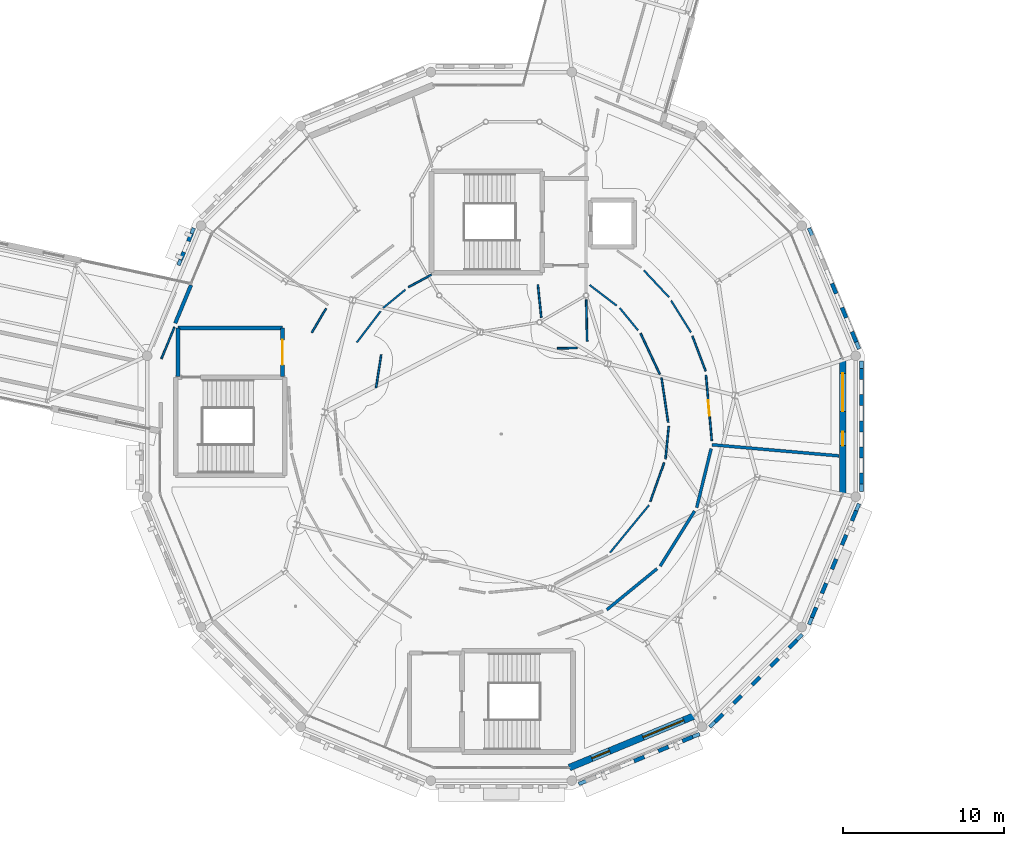
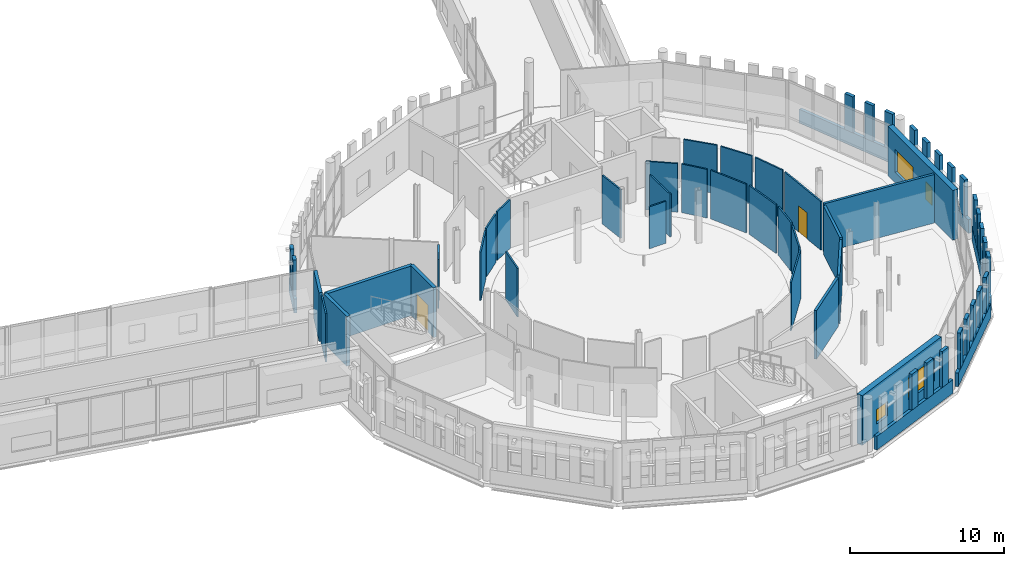
# One storey, part 99 of 125: 59 walls, 4 windows, 2 doors, 6 openings.
"""IFC4 building model written with IfcOpenShell, lengths in metres."""

import ifcopenshell
import ifcopenshell.guid

model = None  # the IFC model being written
_history = None  # IfcOwnerHistory: only IFC2X3 demands one
_inside = {}  # id of a spatial element -> (the spatial element, [elements in it])
_under = {}  # id of a project, library or spatial element -> (it, [spatial elements below it])
_declared = {}  # id of a project -> (the project, [libraries it declares])
_typed = {}  # id of a type object -> (the type object, [elements of that type])
_made_of = {}  # id of a material, layer set ... -> (it, [elements and type objects made of it])


def new_model(schema):
    """Start an empty IFC model of exactly this schema.

    Asked for "IFC4X3", IfcOpenShell would pick the latest addendum, in which some entities
    have other attributes; the version numbers below select the first issue.
    IFC2X3 requires an IfcOwnerHistory on every rooted entity: one is made here for all.
    """
    global model, _history
    if schema == "IFC4X3":
        model = ifcopenshell.file(schema_version=(4, 3, 0, 0))
    else:
        model = ifcopenshell.file(schema=schema)
    _inside.clear()
    _under.clear()
    _declared.clear()
    _typed.clear()
    _made_of.clear()
    _history = None
    if model.schema == "IFC2X3":
        org = make("IfcOrganization", Name="unknown")
        user = make(
            "IfcPersonAndOrganization",
            ThePerson=make("IfcPerson", FamilyName="unknown"),
            TheOrganization=org,
        )
        app = make(
            "IfcApplication",
            ApplicationDeveloper=org,
            Version="unknown",
            ApplicationFullName="unknown",
            ApplicationIdentifier="unknown",
        )
        _history = make(
            "IfcOwnerHistory",
            OwningUser=user,
            OwningApplication=app,
            ChangeAction="ADDED",
            CreationDate=0,
        )
    return model


def make(cls, **values):
    """One entity of the class cls with the attributes given. An attribute that is None is left unset."""
    return model.create_entity(
        cls, **{name: value for name, value in values.items() if value is not None}
    )


def rooted(cls, **values):
    """An entity with a GlobalId (a new one), such as an element, a storey or a relation."""
    return make(cls, GlobalId=ifcopenshell.guid.new(), OwnerHistory=_history, **values)


def si_unit(unit_type, name, prefix=None):
    """IfcSIUnit, for example si_unit("LENGTHUNIT", "METRE", prefix="MILLI")."""
    return make("IfcSIUnit", UnitType=unit_type, Prefix=prefix, Name=name)


def assignment(units):
    """IfcUnitAssignment: the units of a project."""
    return None if units is None else make("IfcUnitAssignment", Units=units)


def point(xyz):
    """IfcCartesianPoint."""
    return None if xyz is None else make("IfcCartesianPoint", Coordinates=xyz)


def direction(xyz):
    """IfcDirection."""
    return None if xyz is None else make("IfcDirection", DirectionRatios=xyz)


def frame(location, z_axis=None, x_axis=None):
    """IfcAxis2Placement3D, a coordinate frame: its origin and axes. An axis left out is left unset."""
    return make(
        "IfcAxis2Placement3D",
        Location=point(location),
        Axis=direction(z_axis),
        RefDirection=direction(x_axis),
    )


def frame_2d(location, x_axis=None):
    """IfcAxis2Placement2D, a coordinate frame in the plane: its origin and x axis."""
    return make(
        "IfcAxis2Placement2D", Location=point(location), RefDirection=direction(x_axis)
    )


def origin():
    """The frame at (0, 0, 0) with its axes left unset."""
    return frame((0.0, 0.0, 0.0))


def place(relative_to, where):
    """IfcLocalPlacement: puts the frame where relative to a parent placement (None: the world)."""
    return make(
        "IfcLocalPlacement", PlacementRelTo=relative_to, RelativePlacement=where
    )


def context(
    kind, dimensions, precision=None, world=None, true_north=None, identifier=None
):
    """IfcGeometricRepresentationContext, for example the 3D "Model" context."""
    return make(
        "IfcGeometricRepresentationContext",
        ContextIdentifier=identifier,
        ContextType=kind,
        CoordinateSpaceDimension=dimensions,
        Precision=precision,
        WorldCoordinateSystem=world,
        TrueNorth=true_north,
    )


def subcontext(parent, identifier, kind, view, scale=None):
    """IfcGeometricRepresentationSubContext, for example "Body" below "Model"."""
    return make(
        "IfcGeometricRepresentationSubContext",
        ContextIdentifier=identifier,
        ContextType=kind,
        ParentContext=parent,
        TargetScale=scale,
        TargetView=view,
    )


def project(units=None, contexts=None):
    """IfcProject with its units and contexts."""
    return rooted(
        "IfcProject",
        Name="project",
        RepresentationContexts=contexts,
        UnitsInContext=assignment(units),
    )


def spatial(cls, under=None, at=None, **own):
    """A site, building, storey or space (cls), placed at a placement, below another one or the project."""
    s = rooted(cls, ObjectPlacement=at, **own)
    if under is not None:
        _under.setdefault(under.id(), (under, []))[1].append(s)
    return s


def profile(cls, at=None, kind="AREA", **sizes):
    """A parametric profile (cls). Its sizes go by their IFC names, for example OverallWidth=200.0."""
    return make(cls, ProfileType=kind, Position=at, **sizes)


def rectangle(**sizes):
    """IfcRectangleProfileDef."""
    return profile("IfcRectangleProfileDef", **sizes)


def extrude(swept, where, along, depth):
    """IfcExtrudedAreaSolid: the profile swept, set in the frame where, extruded along a direction by depth."""
    return make(
        "IfcExtrudedAreaSolid",
        SweptArea=swept,
        Position=where,
        ExtrudedDirection=direction(along),
        Depth=depth,
    )


def shape(context_of_items, identifier, shape_type, items):
    """IfcShapeRepresentation: the items that make up one representation, for example the "Body"."""
    return make(
        "IfcShapeRepresentation",
        ContextOfItems=context_of_items,
        RepresentationIdentifier=identifier,
        RepresentationType=shape_type,
        Items=items,
    )


def material(Name=None, Category=None):
    """IfcMaterial."""
    return make("IfcMaterial", Name=Name, Category=Category)


def layer(
    of_material, thickness, ventilated=None, Name=None, Category=None, Priority=None
):
    """IfcMaterialLayer: one layer of a wall or slab, of a material (None: an air gap)."""
    return make(
        "IfcMaterialLayer",
        Material=of_material,
        LayerThickness=thickness,
        IsVentilated=ventilated,
        Name=Name,
        Category=Category,
        Priority=Priority,
    )


def layer_set(layers, Name=None):
    """IfcMaterialLayerSet."""
    return make("IfcMaterialLayerSet", MaterialLayers=layers, LayerSetName=Name)


def made_of(thing, what):
    """Note that an element or type object is made of a material, layer set ...; save() writes the relation."""
    if what is not None:
        _made_of.setdefault(what.id(), (what, []))[1].append(thing)
    return thing


def type_object(cls, material=None, **own):
    """A type object (cls), such as IfcWallType, which elements share."""
    return made_of(rooted(cls, **own), material)


def element(
    cls,
    number,
    at=None,
    inside=None,
    cuts=None,
    type_object=None,
    material=None,
    context=None,
    identifier="Body",
    shape_type=None,
    held_by="IfcProductDefinitionShape",
    body=None,
    shapes=None,
    **own,
):
    """One element of the class cls, such as IfcWall. Its Tag is "e" and its number.

    at: its placement. inside: the storey or other place that contains it. cuts: it is an
    opening in that element (IfcRelVoidsElement). A single representation is given by context,
    identifier, shape_type and body (its items); several are given by shapes. held_by: the class
    of the entity that holds the representations. save() writes the other relations.
    """
    e = rooted(cls, Tag="e%d" % number, ObjectPlacement=at, **own)
    if body is not None:
        shapes = [shape(context, identifier, shape_type, body)]
    if shapes is not None:
        e.Representation = make(held_by, Representations=shapes)
    if inside is not None:
        _inside.setdefault(inside.id(), (inside, []))[1].append(e)
    if cuts is not None:
        rooted(
            "IfcRelVoidsElement", RelatingBuildingElement=cuts, RelatedOpeningElement=e
        )
    if type_object is not None:
        _typed.setdefault(type_object.id(), (type_object, []))[1].append(e)
    return made_of(e, material)


def fill(opening, filler):
    """IfcRelFillsElement: the door or window that sits in an opening."""
    return rooted(
        "IfcRelFillsElement",
        RelatingOpeningElement=opening,
        RelatedBuildingElement=filler,
    )


def aggregate(whole, parts):
    """IfcRelAggregates: a whole, such as a stair, and the parts it consists of."""
    return rooted("IfcRelAggregates", RelatingObject=whole, RelatedObjects=parts)


def save(model, path):
    """Write the relations noted so far, then the file.

    IfcRelAggregates (storeys below a building ...), IfcRelContainedInSpatialStructure (elements
    in a storey), IfcRelDefinesByType, IfcRelAssociatesMaterial and IfcRelDeclares: one each for
    every whole, place, type object, material and project.
    """
    for whole, parts in _under.values():
        aggregate(whole, parts)
    for where, things in _inside.values():
        rooted(
            "IfcRelContainedInSpatialStructure",
            RelatedElements=things,
            RelatingStructure=where,
        )
    for kind, things in _typed.values():
        rooted("IfcRelDefinesByType", RelatedObjects=things, RelatingType=kind)
    for what, things in _made_of.values():
        rooted("IfcRelAssociatesMaterial", RelatedObjects=things, RelatingMaterial=what)
    for by, libraries in _declared.values():
        rooted("IfcRelDeclares", RelatingContext=by, RelatedDefinitions=libraries)
    model.write(path)


model = new_model("IFC4")

# Units and contexts
model_context = context("Model", 3, precision=1e-05, world=origin(), true_north=direction((0.0, 1.0)))
body_context = subcontext(model_context, "Body", "Model", "MODEL_VIEW")
ifc_project = project(units=[si_unit("LENGTHUNIT", "METRE"), si_unit("AREAUNIT", "SQUARE_METRE"), si_unit("VOLUMEUNIT", "CUBIC_METRE"), si_unit("PLANEANGLEUNIT", "RADIAN"), si_unit("MASSUNIT", "GRAM", prefix="KILO")], contexts=[model_context])

# Site, building, storey
site_placement = place(None, origin())
site = spatial("IfcSite", under=ifc_project, at=site_placement, CompositionType="ELEMENT")
building_placement = place(site_placement, origin())
building = spatial("IfcBuilding", under=site, at=building_placement, Name="Wrenclough Park School", CompositionType="ELEMENT")
storey_placement = place(building_placement, frame((0.0, 0.0, 4.199951171875)))
storey = spatial("IfcBuildingStorey", under=building, at=storey_placement, Name="L01", CompositionType="ELEMENT", Elevation=4.199951171875)

# Walls
ifc_material_1 = material(Name="Perforated open-bond Staffordshire and Manchester brick screen pier", Category="masonry")
ifc_layer_1 = layer(ifc_material_1, 0.2451171875)
ifc_layer_set_1 = layer_set([ifc_layer_1], Name="Perforated open-bond Staffordshire and Manchester brick screen pier")
wall_type_1 = type_object("IfcWallType", Name="ENV-BS-PR245", PredefinedType="ELEMENTEDWALL", material=ifc_layer_set_1)
for number, where, z_axis, x_axis, name in (
    (1, (177.5498046875, 31.743896484375, 1.090087890625), (0.0, 0.0, 1.0), (-0.382762115804, 0.923846936838, 0.0), "D1 L01 perforated brick screen pier 0166"),
    (2, (176.927490234375, 33.24609375, 1.090087890625), (0.0, 0.0, 1.0), (-0.38245702535, 0.923973280869, 0.0), "D1 L01 perforated brick screen pier 0167"),
    (3, (176.305419921875, 34.748291015625, 1.090087890625), (0.0, 0.0, 1.0), (-0.382762115804, 0.923846936838, 0.0), "D1 L01 perforated brick screen pier 0168"),
):
    element("IfcWall", number, at=place(storey_placement, frame(where, z_axis=z_axis, x_axis=x_axis)), inside=storey, type_object=wall_type_1, Name=name, PredefinedType="ELEMENTEDWALL", context=body_context, shape_type="SweptSolid", body=[
        extrude(rectangle(XDim=0.68310546875, YDim=0.2451171875, at=frame_2d((0.341552734375, 0.0))), origin(), (0.0, 0.0, 1.0), 2.849853515625),
    ])
wall_1_placement = place(storey_placement, frame((136.24267578125, 38.485595703125, 1.090087890625), z_axis=(0.0, 0.0, 1.0), x_axis=(-0.382626535499, -0.923903097912, 0.0)))
element("IfcWall", 4, at=wall_1_placement, inside=storey, type_object=wall_type_1, Name="D1 L01 perforated brick screen pier 0189", PredefinedType="ELEMENTEDWALL", context=body_context, shape_type="SweptSolid", body=[
    extrude(rectangle(XDim=0.523193359375, YDim=0.2451171875, at=frame_2d((0.26171875, 0.0))), origin(), (0.0, 0.0, 1.0), 2.849853515625),
])
wall_2_placement = place(storey_placement, frame((135.76611328125, 37.334716796875, 1.090087890625), z_axis=(0.0, 0.0, 1.0), x_axis=(-0.382791554495, -0.923834739446, 0.0)))
element("IfcWall", 5, at=wall_2_placement, inside=storey, type_object=wall_type_1, Name="D1 L01 perforated brick screen pier 0190", PredefinedType="ELEMENTEDWALL", context=body_context, shape_type="SweptSolid", body=[
    extrude(rectangle(XDim=0.52294921875, YDim=0.2451171875, at=frame_2d((0.261474609375, 0.0))), origin(), (0.0, 0.0, 1.0), 2.849853515625),
])
for number, where, z_axis, x_axis, name in (
    (6, (163.748291015625, 5.694580078125, 1.090087890625), (0.0, 0.0, 1.0), (0.923846936838, 0.382762115804, 0.0), "D1 L01 perforated brick screen pier 0215"),
    (7, (165.25048828125, 6.31689453125, 1.090087890625), (0.0, 0.0, 1.0), (0.923846936838, 0.382762115804, 0.0), "D1 L01 perforated brick screen pier 0216"),
    (8, (166.752685546875, 6.939208984375, 1.090087890625), (0.0, 0.0, 1.0), (0.923846936838, 0.382762115804, 0.0), "D1 L01 perforated brick screen pier 0217"),
):
    element("IfcWall", number, at=place(storey_placement, frame(where, z_axis=z_axis, x_axis=x_axis)), inside=storey, type_object=wall_type_1, Name=name, PredefinedType="ELEMENTEDWALL", context=body_context, shape_type="SweptSolid", body=[
        extrude(rectangle(XDim=0.68310546875, YDim=0.2451171875, at=frame_2d((0.341552734375, 0.0))), origin(), (0.0, 0.0, 1.0), 2.849853515625),
    ])
for number, where, z_axis, x_axis, name in (
    (9, (168.78271484375, 8.135498046875, 1.090087890625), (0.0, 0.0, 1.0), (0.707106781187, 0.707106781187, 0.0), "D1 L01 perforated brick screen pier 0218"),
    (10, (169.9326171875, 9.28515625, 1.090087890625), (0.0, 0.0, 1.0), (0.706927970528, 0.707285546639, 0.0), "D1 L01 perforated brick screen pier 0219"),
    (11, (171.082275390625, 10.434814453125, 1.090087890625), (0.0, 0.0, 1.0), (0.707106781187, 0.707106781187, 0.0), "D1 L01 perforated brick screen pier 0220"),
    (12, (172.23193359375, 11.584716796875, 1.090087890625), (0.0, 0.0, 1.0), (0.707285546639, 0.706927970528, 0.0), "D1 L01 perforated brick screen pier 0221"),
    (13, (173.381591796875, 12.734375, 1.090087890625), (0.0, 0.0, 1.0), (0.707106781187, 0.707106781187, 0.0), "D1 L01 perforated brick screen pier 0222"),
):
    element("IfcWall", number, at=place(storey_placement, frame(where, z_axis=z_axis, x_axis=x_axis)), inside=storey, type_object=wall_type_1, Name=name, PredefinedType="ELEMENTEDWALL", context=body_context, shape_type="SweptSolid", body=[
        extrude(rectangle(XDim=0.682861328125, YDim=0.2451171875, at=frame_2d((0.34130859375, 0.0))), origin(), (0.0, 0.0, 1.0), 2.849853515625),
    ])
for number, where, z_axis, x_axis, name in (
    (14, (174.79931640625, 14.6162109375, 1.090087890625), (0.0, 0.0, 1.0), (0.382762115804, 0.923846936838, 0.0), "D1 L01 perforated brick screen pier 0223"),
    (15, (175.421630859375, 16.118408203125, 1.090087890625), (0.0, 0.0, 1.0), (0.382762115804, 0.923846936838, 0.0), "D1 L01 perforated brick screen pier 0224"),
    (16, (176.0439453125, 17.62060546875, 1.090087890625), (0.0, 0.0, 1.0), (0.382762115804, 0.923846936838, 0.0), "D1 L01 perforated brick screen pier 0225"),
    (17, (176.666259765625, 19.122802734375, 1.090087890625), (0.0, 0.0, 1.0), (0.38245702535, 0.923973280869, 0.0), "D1 L01 perforated brick screen pier 0226"),
    (18, (177.288330078125, 20.625, 1.090087890625), (0.0, 0.0, 1.0), (0.382762115804, 0.923846936838, 0.0), "D1 L01 perforated brick screen pier 0227"),
    (19, (177.878173828125, 22.906494140625, 1.090087890625), (0.0, 0.0, 1.0), (0.0, 1.0, 0.0), "D1 L01 perforated brick screen pier 0228"),
    (20, (177.878173828125, 24.532470703125, 1.090087890625), (0.0, 0.0, 1.0), (0.0, 1.0, 0.0), "D1 L01 perforated brick screen pier 0229"),
    (21, (177.878173828125, 26.158447265625, 1.090087890625), (0.0, 0.0, 1.0), (0.0, 1.0, 0.0), "D1 L01 perforated brick screen pier 0230"),
    (22, (177.878173828125, 27.784423828125, 1.090087890625), (0.0, 0.0, 1.0), (0.0, 1.0, 0.0), "D1 L01 perforated brick screen pier 0231"),
    (23, (177.878173828125, 29.410400390625, 1.090087890625), (0.0, 0.0, 1.0), (0.0, 1.0, 0.0), "D1 L01 perforated brick screen pier 0232"),
):
    element("IfcWall", number, at=place(storey_placement, frame(where, z_axis=z_axis, x_axis=x_axis)), inside=storey, type_object=wall_type_1, Name=name, PredefinedType="ELEMENTEDWALL", context=body_context, shape_type="SweptSolid", body=[
        extrude(rectangle(XDim=0.68310546875, YDim=0.2451171875, at=frame_2d((0.341552734375, 0.0))), origin(), (0.0, 0.0, 1.0), 2.849853515625),
    ])
ifc_material_2 = material(Name="Open-bond Manchester multi-stock brick spandrel screen", Category="masonry")
ifc_layer_2 = layer(ifc_material_2, 0.22509765625)
ifc_layer_set_2 = layer_set([ifc_layer_2], Name="Open-bond Manchester multi-stock brick spandrel screen")
wall_type_2 = type_object("IfcWallType", Name="ENV-BS-SP225", PredefinedType="ELEMENTEDWALL", material=ifc_layer_set_2)
wall_3_placement = place(storey_placement, frame((177.730224609375, 31.308349609375, 0.0), z_axis=(0.0, 0.0, 1.0), x_axis=(-0.382701881142, 0.923871890562, 0.0)))
element("IfcWall", 24, at=wall_3_placement, inside=storey, type_object=wall_type_2, Name="D1 L01 open-bond brick screen spandrel 0048", PredefinedType="ELEMENTEDWALL", context=body_context, shape_type="SweptSolid", body=[
    extrude(rectangle(XDim=8.1298828125, YDim=0.22509765625, at=frame_2d((4.06494140625, 0.0))), origin(), (0.0, 0.0, 1.0), 1.090087890625),
])
wall_4_placement = place(storey_placement, frame((136.381103515625, 38.8193359375, 0.0), z_axis=(0.0, 0.0, 1.0), x_axis=(-0.382700894154, -0.923872299408, 0.0)))
element("IfcWall", 25, at=wall_4_placement, inside=storey, type_object=wall_type_2, Name="D1 L01 open-bond brick screen spandrel 0053", PredefinedType="ELEMENTEDWALL", context=body_context, shape_type="SweptSolid", body=[
    extrude(rectangle(XDim=2.4912109375, YDim=0.22509765625, at=frame_2d((1.24560546875, 0.0))), origin(), (0.0, 0.0, 1.0), 1.090087890625),
])
wall_5_placement = place(storey_placement, frame((160.308349609375, 4.269775390625, 0.0), z_axis=(0.0, 0.0, 1.0), x_axis=(0.923871890562, 0.382701881142, 0.0)))
element("IfcWall", 26, at=wall_5_placement, inside=storey, type_object=wall_type_2, Name="D1 L01 open-bond brick screen spandrel 0059", PredefinedType="ELEMENTEDWALL", context=body_context, shape_type="SweptSolid", body=[
    extrude(rectangle(XDim=8.1298828125, YDim=0.22509765625, at=frame_2d((4.06494140625, 0.0))), origin(), (0.0, 0.0, 1.0), 1.090087890625),
])
wall_6_placement = place(storey_placement, frame((168.449462890625, 7.802001953125, 0.0), z_axis=(0.0, 0.0, 1.0), x_axis=(0.707106781187, 0.707106781187, 0.0)))
element("IfcWall", 27, at=wall_6_placement, inside=storey, type_object=wall_type_2, Name="D1 L01 open-bond brick screen spandrel 0060", PredefinedType="ELEMENTEDWALL", context=body_context, shape_type="SweptSolid", body=[
    extrude(rectangle(XDim=8.129638671875, YDim=0.22509765625, at=frame_2d((4.06494140625, 0.0))), origin(), (0.0, 0.0, 1.0), 1.090087890625),
])
for number, where, z_axis, x_axis, name in (
    (28, (174.618896484375, 14.1806640625, 0.0), (0.0, 0.0, 1.0), (0.382701881142, 0.923871890562, 0.0), "D1 L01 open-bond brick screen spandrel 0061"),
    (29, (177.878173828125, 22.43505859375, 0.0), (0.0, 0.0, 1.0), (0.0, 1.0, 0.0), "D1 L01 open-bond brick screen spandrel 0062"),
):
    element("IfcWall", number, at=place(storey_placement, frame(where, z_axis=z_axis, x_axis=x_axis)), inside=storey, type_object=wall_type_2, Name=name, PredefinedType="ELEMENTEDWALL", context=body_context, shape_type="SweptSolid", body=[
        extrude(rectangle(XDim=8.1298828125, YDim=0.22509765625, at=frame_2d((4.06494140625, 0.0))), origin(), (0.0, 0.0, 1.0), 1.090087890625),
    ])

# Wall, openings, windows
ifc_material_3 = material(Name="Staffordshire blue-grey brick and Concrete C40/50 acoustic leaf", Category="masonry")
ifc_layer_3 = layer(ifc_material_3, 0.39990234375)
ifc_layer_set_3 = layer_set([ifc_layer_3], Name="Staffordshire blue-grey brick and Concrete C40/50 acoustic leaf")
wall_type_3 = type_object("IfcWallType", Name="ENV-EW-400", PredefinedType="SOLIDWALL", material=ifc_layer_set_3)
wall_7_placement = place(storey_placement, frame((176.712158203125, 30.71923828125, 0.0), z_axis=(0.0, 0.0, 1.0), x_axis=(0.0, -1.0, 0.0)))
wall_7 = element("IfcWall", 30, at=wall_7_placement, inside=storey, type_object=wall_type_3, Name="L01 insulated brick external wall 0100", PredefinedType="SOLIDWALL", context=body_context, shape_type="SweptSolid", body=[
    extrude(rectangle(XDim=8.4384765625, YDim=0.39990234375, at=frame_2d((4.21923828125, 0.0))), origin(), (0.0, 0.0, 1.0), 3.93994140625),
])
opening_1_placement = place(wall_7_placement, frame((0.934814453125, 0.0, 0.85009765625)))
opening_1 = element("IfcOpeningElement", 31, at=opening_1_placement, cuts=wall_7, Name="Opening WN-34", PredefinedType="OPENING", context=body_context, shape_type="SweptSolid", body=[
    extrude(rectangle(XDim=2.35009765625, YDim=1.800048828125, at=frame_2d((1.175048828125, 0.89990234375))), frame((0.0, 0.2099609375, 0.0), z_axis=(0.0, -1.0, 0.0), x_axis=(1.0, 0.0, 0.0)), (0.0, 0.0, 1.0), 0.419921875),
])
opening_2_placement = place(wall_7_placement, frame((4.5693359375, 0.0, 0.85009765625)))
opening_2 = element("IfcOpeningElement", 32, at=opening_2_placement, cuts=wall_7, Name="Opening WN-01", PredefinedType="OPENING", context=body_context, shape_type="SweptSolid", body=[
    extrude(rectangle(XDim=0.85009765625, YDim=1.39990234375, at=frame_2d((0.425048828125, 0.699951171875))), frame((0.0, 0.2099609375, 0.0), z_axis=(0.0, -1.0, 0.0), x_axis=(1.0, 0.0, 0.0)), (0.0, 0.0, 1.0), 0.419921875),
])
ifc_material_4 = material(Name="Thermally broken aluminium and double-glazed low-e glass", Category="aluminium")
window_type_1 = type_object("IfcWindowType", Name="ENV-WN-01", PartitioningType="SINGLE_PANEL", PredefinedType="WINDOW", material=ifc_material_4)
window_1_placement = place(opening_2_placement, origin())
window_1 = element("IfcWindow", 33, at=window_1_placement, inside=storey, type_object=window_type_1, Name="L01 scheduled facade window 0146", OverallHeight=1.39990234375, OverallWidth=0.85009765625, PartitioningType="SINGLE_PANEL", PredefinedType="WINDOW", context=body_context, shape_type="SweptSolid", body=[
    extrude(rectangle(XDim=0.85009765625, YDim=1.39990234375, at=frame_2d((0.425048828125, 0.699951171875))), frame((0.0, 0.030029296875, 0.0), z_axis=(0.0, -1.0, 0.0), x_axis=(1.0, 0.0, 0.0)), (0.0, 0.0, 1.0), 0.06005859375),
])
fill(opening_2, window_1)
window_type_2 = type_object("IfcWindowType", Name="ENV-WN-34", PartitioningType="DOUBLE_PANEL_VERTICAL", PredefinedType="WINDOW", material=ifc_material_4)
window_2_placement = place(opening_1_placement, origin())
window_2 = element("IfcWindow", 34, at=window_2_placement, inside=storey, type_object=window_type_2, Name="L01 scheduled facade window 0145", OverallHeight=1.800048828125, OverallWidth=2.35009765625, PartitioningType="SINGLE_PANEL", PredefinedType="WINDOW", context=body_context, shape_type="SweptSolid", body=[
    extrude(rectangle(XDim=2.35009765625, YDim=1.800048828125, at=frame_2d((1.175048828125, 0.89990234375))), frame((0.0, 0.030029296875, 0.0), z_axis=(0.0, -1.0, 0.0), x_axis=(1.0, 0.0, 0.0)), (0.0, 0.0, 1.0), 0.06005859375),
])
fill(opening_1, window_2)

ifc_material_5 = material(Name="Insulated brick-clad sports hall wall Concrete C40/50", Category="masonry")
ifc_layer_4 = layer(ifc_material_5, 0.425048828125)
ifc_layer_set_4 = layer_set([ifc_layer_4], Name="Insulated brick-clad sports hall wall Concrete C40/50")
wall_type_4 = type_object("IfcWallType", Name="ENV-EW-425", PredefinedType="SOLIDWALL", material=ifc_layer_set_4)
wall_8_placement = place(storey_placement, frame((167.515625, 8.51708984375, 0.0), z_axis=(0.0, 0.0, 1.0), x_axis=(-0.923884604839, -0.382671186453, 0.0)))
wall_8 = element("IfcWall", 35, at=wall_8_placement, inside=storey, type_object=wall_type_4, Name="L01 insulated brick external wall 0101", PredefinedType="SOLIDWALL", context=body_context, shape_type="SweptSolid", body=[
    extrude(rectangle(XDim=8.438720703125, YDim=0.425048828125, at=frame_2d((4.21923828125, 0.0))), origin(), (0.0, 0.0, 1.0), 3.93994140625),
])
opening_3_placement = place(wall_8_placement, frame((0.734619140625, 0.0, 0.85009765625)))
opening_3 = element("IfcOpeningElement", 36, at=opening_3_placement, cuts=wall_8, Name="Opening WN-36", PredefinedType="OPENING", context=body_context, shape_type="SweptSolid", body=[
    extrude(rectangle(XDim=2.75, YDim=1.800048828125, at=frame_2d((1.375, 0.89990234375))), frame((0.0, 0.222412109375, 0.0), z_axis=(0.0, -1.0, 0.0), x_axis=(1.0, 0.0, 0.0)), (0.0, 0.0, 1.0), 0.445068359375),
])
opening_4_placement = place(wall_8_placement, frame((5.72900390625, 0.0, 0.85009765625)))
opening_4 = element("IfcOpeningElement", 37, at=opening_4_placement, cuts=wall_8, Name="Opening WN-37", PredefinedType="OPENING", context=body_context, shape_type="SweptSolid", body=[
    extrude(rectangle(XDim=1.199951171875, YDim=1.14990234375, at=frame_2d((0.60009765625, 0.574951171875))), frame((0.0, 0.222412109375, 0.0), z_axis=(0.0, -1.0, 0.0), x_axis=(1.0, 0.0, 0.0)), (0.0, 0.0, 1.0), 0.445068359375),
])
window_type_3 = type_object("IfcWindowType", Name="ENV-WN-36", PartitioningType="DOUBLE_PANEL_VERTICAL", PredefinedType="WINDOW", material=ifc_material_4)
window_3_placement = place(opening_3_placement, origin())
window_3 = element("IfcWindow", 38, at=window_3_placement, inside=storey, type_object=window_type_3, Name="L01 scheduled facade window 0147", OverallHeight=1.800048828125, OverallWidth=2.75, PartitioningType="SINGLE_PANEL", PredefinedType="WINDOW", context=body_context, shape_type="SweptSolid", body=[
    extrude(rectangle(XDim=2.75, YDim=1.800048828125, at=frame_2d((1.375, 0.89990234375))), frame((0.0, 0.030029296875, 0.0), z_axis=(0.0, -1.0, 0.0), x_axis=(1.0, 0.0, 0.0)), (0.0, 0.0, 1.0), 0.06005859375),
])
fill(opening_3, window_3)
window_type_4 = type_object("IfcWindowType", Name="ENV-WN-37", PartitioningType="SINGLE_PANEL", PredefinedType="WINDOW", material=ifc_material_4)
window_4_placement = place(opening_4_placement, origin())
window_4 = element("IfcWindow", 39, at=window_4_placement, inside=storey, type_object=window_type_4, Name="L01 scheduled facade window 0148", OverallHeight=1.14990234375, OverallWidth=1.199951171875, PartitioningType="SINGLE_PANEL", PredefinedType="WINDOW", context=body_context, shape_type="SweptSolid", body=[
    extrude(rectangle(XDim=1.199951171875, YDim=1.14990234375, at=frame_2d((0.60009765625, 0.574951171875))), frame((0.0, 0.030029296875, 0.0), z_axis=(0.0, -1.0, 0.0), x_axis=(1.0, 0.0, 0.0)), (0.0, 0.0, 1.0), 0.06005859375),
])
fill(opening_4, window_4)

# Wall, opening, door
ifc_material_6 = material(Name="Concrete C35/45", Category="concrete")
ifc_layer_5 = layer(ifc_material_6, 0.25)
ifc_layer_set_5 = layer_set([ifc_layer_5], Name="Concrete C35/45")
wall_type_5 = type_object("IfcWallType", Name="INT-CW-250", PredefinedType="SHEAR", material=ifc_layer_set_5)
wall_9_placement = place(storey_placement, frame((141.89990234375, 29.60009765625, 0.0), z_axis=(0.0, 0.0, 1.0), x_axis=(0.0, 1.0, 0.0)))
wall_9 = element("IfcWall", 40, at=wall_9_placement, inside=storey, type_object=wall_type_5, Name="Core C1C L01 lobby fire wall east", PredefinedType="SHEAR", context=body_context, shape_type="SweptSolid", body=[
    extrude(rectangle(XDim=3.0, YDim=0.25, at=frame_2d((1.5, 0.0))), origin(), (0.0, 0.0, 1.0), 3.949951171875),
])
opening_5_placement = place(wall_9_placement, frame((0.72509765625, 0.0, 0.0)))
opening_5 = element("IfcOpeningElement", 41, at=opening_5_placement, cuts=wall_9, Name="Opening DLB-C1C-L01", PredefinedType="OPENING", context=body_context, shape_type="SweptSolid", body=[
    extrude(rectangle(XDim=1.550048828125, YDim=2.14990234375, at=frame_2d((0.77490234375, 1.074951171875))), frame((0.0, 0.135009765625, 0.0), z_axis=(0.0, -1.0, 0.0), x_axis=(1.0, 0.0, 0.0)), (0.0, 0.0, 1.0), 0.27001953125),
])
ifc_material_7 = material(Name="Protected stair lobby double fire door assembly", Category="wood")
door_type_1 = type_object("IfcDoorType", Name="INT-DR-LB155", OperationType="NOTDEFINED", PredefinedType="DOOR", material=ifc_material_7)
door_1_placement = place(opening_5_placement, origin())
door_1 = element("IfcDoor", 42, at=door_1_placement, inside=storey, type_object=door_type_1, Name="Core C1C L01 protected lobby fire door", OperationType="DOUBLE_DOOR_SINGLE_SWING", OverallHeight=2.14990234375, OverallWidth=1.550048828125, PredefinedType="DOOR", context=body_context, shape_type="SweptSolid", body=[
    extrude(rectangle(XDim=1.550048828125, YDim=2.14990234375, at=frame_2d((0.77490234375, 1.074951171875))), frame((0.0, 0.02490234375, 0.0), z_axis=(0.0, -1.0, 0.0), x_axis=(1.0, 0.0, 0.0)), (0.0, 0.0, 1.0), 0.050048828125),
])
fill(opening_5, door_1)

# Walls
wall_10_placement = place(storey_placement, frame((141.89990234375, 32.60009765625, 0.0), z_axis=(0.0, 0.0, 1.0), x_axis=(-1.0, 0.0, 0.0)))
element("IfcWall", 43, at=wall_10_placement, inside=storey, type_object=wall_type_5, Name="Core C1C L01 lobby fire wall north", PredefinedType="SHEAR", context=body_context, shape_type="SweptSolid", body=[
    extrude(rectangle(XDim=6.5, YDim=0.25, at=frame_2d((3.25, 0.0))), origin(), (0.0, 0.0, 1.0), 3.949951171875),
])
wall_11_placement = place(storey_placement, frame((135.39990234375, 32.60009765625, 0.0), z_axis=(0.0, 0.0, 1.0), x_axis=(0.0, -1.0, 0.0)))
element("IfcWall", 44, at=wall_11_placement, inside=storey, type_object=wall_type_5, Name="Core C1C L01 lobby fire wall west", PredefinedType="SHEAR", context=body_context, shape_type="SweptSolid", body=[
    extrude(rectangle(XDim=3.0, YDim=0.25, at=frame_2d((1.5, 0.0))), origin(), (0.0, 0.0, 1.0), 3.949951171875),
])
ifc_material_8 = material(Name="Lightweight fire-rated store partition", Category="gypsum")
ifc_layer_6 = layer(ifc_material_8, 0.110107421875)
ifc_layer_set_6 = layer_set([ifc_layer_6], Name="Lightweight fire-rated store partition")
wall_type_6 = type_object("IfcWallType", Name="INT-PW-110", PredefinedType="PARTITIONING", material=ifc_layer_set_6)
wall_12_placement = place(storey_placement, frame((135.179931640625, 32.6640625, 0.0), z_axis=(0.0, 0.0, 1.0), x_axis=(-0.382629511238, -0.92390186553, 0.0)))
element("IfcWall", 45, at=wall_12_placement, inside=storey, type_object=wall_type_6, Name="L01 internal partition 0161", PredefinedType="PARTITIONING", context=body_context, shape_type="SweptSolid", body=[
    extrude(rectangle(XDim=2.1220703125, YDim=0.110107421875, at=frame_2d((1.06103515625, 0.0))), origin(), (0.0, 0.0, 1.0), 3.85498046875),
])
wall_13_placement = place(storey_placement, frame((143.714111328125, 32.330322265625, 0.0), z_axis=(0.0, 0.0, 1.0), x_axis=(0.513091642819, 0.858333831367, 0.0)))
element("IfcWall", 46, at=wall_13_placement, inside=storey, type_object=wall_type_6, Name="L01 internal partition 0168", PredefinedType="PARTITIONING", context=body_context, shape_type="SweptSolid", body=[
    extrude(rectangle(XDim=1.739501953125, YDim=0.110107421875, at=frame_2d((0.86962890625, 0.0))), origin(), (0.0, 0.0, 1.0), 3.85498046875),
])
wall_14_placement = place(storey_placement, frame((164.361328125, 36.185546875, 0.0), z_axis=(0.0, 0.0, 1.0), x_axis=(0.683637386102, -0.729821844236, 0.0)))
element("IfcWall", 47, at=wall_14_placement, inside=storey, type_object=wall_type_6, Name="L01 internal partition 0175", PredefinedType="PARTITIONING", context=body_context, shape_type="SweptSolid", body=[
    extrude(rectangle(XDim=2.27294921875, YDim=0.110107421875, at=frame_2d((1.136474609375, 0.0))), origin(), (0.0, 0.0, 1.0), 3.85498046875),
])
wall_15_placement = place(storey_placement, frame((166.047607421875, 34.314453125, 0.0), z_axis=(0.0, 0.0, 1.0), x_axis=(0.529866946479, -0.848080785674, 0.0)))
element("IfcWall", 48, at=wall_15_placement, inside=storey, type_object=wall_type_6, Name="L01 internal partition 0176", PredefinedType="PARTITIONING", context=body_context, shape_type="SweptSolid", body=[
    extrude(rectangle(XDim=2.32763671875, YDim=0.110107421875, at=frame_2d((1.163818359375, 0.0))), origin(), (0.0, 0.0, 1.0), 3.85498046875),
])
wall_16_placement = place(storey_placement, frame((167.369384765625, 32.1064453125, 0.0), z_axis=(0.0, 0.0, 1.0), x_axis=(0.354438755366, -0.935079231239, 0.0)))
element("IfcWall", 49, at=wall_16_placement, inside=storey, type_object=wall_type_6, Name="L01 internal partition 0177", PredefinedType="PARTITIONING", context=body_context, shape_type="SweptSolid", body=[
    extrude(rectangle(XDim=2.32275390625, YDim=0.110107421875, at=frame_2d((1.161376953125, 0.0))), origin(), (0.0, 0.0, 1.0), 3.85498046875),
])

# Wall, opening, door
wall_17_placement = place(storey_placement, frame((168.214599609375, 29.685791015625, 0.0), z_axis=(0.0, 0.0, 1.0), x_axis=(0.088048545016, -0.99611618485, 0.0)))
wall_17 = element("IfcWall", 50, at=wall_17_placement, inside=storey, type_object=wall_type_6, Name="L01 internal partition 0178", PredefinedType="PARTITIONING", context=body_context, shape_type="SweptSolid", body=[
    extrude(rectangle(XDim=4.09814453125, YDim=0.110107421875, at=frame_2d((2.049072265625, 0.0))), origin(), (0.0, 0.0, 1.0), 3.85498046875),
])
opening_6_placement = place(wall_17_placement, frame((1.569091796875, 0.0, 0.0)))
opening_6 = element("IfcOpeningElement", 51, at=opening_6_placement, cuts=wall_17, Name="Opening DR-L01-032", PredefinedType="OPENING", context=body_context, shape_type="SweptSolid", body=[
    extrude(rectangle(XDim=0.9599609375, YDim=2.080078125, at=frame_2d((0.47998046875, 1.0400390625))), frame((0.0, 0.06494140625, 0.0), z_axis=(0.0, -1.0, 0.0), x_axis=(1.0, 0.0, 0.0)), (0.0, 0.0, 1.0), 0.130126953125),
])
ifc_material_9 = material(Name="General teaching room single door assembly", Category="wood")
door_type_2 = type_object("IfcDoorType", Name="INT-DR-CL096", OperationType="NOTDEFINED", PredefinedType="DOOR", material=ifc_material_9)
door_2_placement = place(opening_6_placement, origin())
door_2 = element("IfcDoor", 52, at=door_2_placement, inside=storey, type_object=door_type_2, Name="PE Classroom 1 door DR-L01-032", OperationType="SINGLE_SWING_LEFT", OverallHeight=2.080078125, OverallWidth=0.9599609375, PredefinedType="DOOR", context=body_context, shape_type="SweptSolid", body=[
    extrude(rectangle(XDim=0.9599609375, YDim=2.080078125, at=frame_2d((0.47998046875, 1.0400390625))), frame((0.0, 0.02490234375, 0.0), z_axis=(0.0, -1.0, 0.0), x_axis=(1.0, 0.0, 0.0)), (0.0, 0.0, 1.0), 0.050048828125),
])
fill(opening_6, door_2)

# Walls
wall_18_placement = place(storey_placement, frame((165.7001953125, 24.47119140625, 0.0), z_axis=(0.0, 0.0, 1.0), x_axis=(0.097962158225, 0.995190140403, 0.0)))
element("IfcWall", 53, at=wall_18_placement, inside=storey, type_object=wall_type_6, Name="L01 internal partition 0184", PredefinedType="PARTITIONING", context=body_context, shape_type="SweptSolid", body=[
    extrude(rectangle(XDim=2.03857421875, YDim=0.110107421875, at=frame_2d((1.019287109375, 0.0))), origin(), (0.0, 0.0, 1.0), 3.85498046875),
])
wall_19_placement = place(storey_placement, frame((165.86328125, 26.7470703125, 0.0), z_axis=(0.0, 0.0, 1.0), x_axis=(-0.14671284536, 0.989179124833, 0.0)))
element("IfcWall", 54, at=wall_19_placement, inside=storey, type_object=wall_type_6, Name="L01 internal partition 0185", PredefinedType="PARTITIONING", context=body_context, shape_type="SweptSolid", body=[
    extrude(rectangle(XDim=2.80224609375, YDim=0.110107421875, at=frame_2d((1.401123046875, 0.0))), origin(), (0.0, 0.0, 1.0), 3.85498046875),
])
wall_20_placement = place(storey_placement, frame((165.34521484375, 29.7451171875, 0.0), z_axis=(0.0, 0.0, 1.0), x_axis=(-0.427588092551, 0.903973684965, 0.0)))
element("IfcWall", 55, at=wall_20_placement, inside=storey, type_object=wall_type_6, Name="L01 internal partition 0186", PredefinedType="PARTITIONING", context=body_context, shape_type="SweptSolid", body=[
    extrude(rectangle(XDim=2.8017578125, YDim=0.110107421875, at=frame_2d((1.40087890625, 0.0))), origin(), (0.0, 0.0, 1.0), 3.85498046875),
])
wall_21_placement = place(storey_placement, frame((163.989013671875, 32.470947265625, 0.0), z_axis=(0.0, 0.0, 1.0), x_axis=(-0.634381432494, 0.773020179625, 0.0)))
element("IfcWall", 56, at=wall_21_placement, inside=storey, type_object=wall_type_6, Name="L01 internal partition 0187", PredefinedType="PARTITIONING", context=body_context, shape_type="SweptSolid", body=[
    extrude(rectangle(XDim=1.7890625, YDim=0.110107421875, at=frame_2d((0.89453125, 0.0))), origin(), (0.0, 0.0, 1.0), 3.85498046875),
])
wall_22_placement = place(storey_placement, frame((162.655517578125, 34.005615234375, 0.0), z_axis=(0.0, 0.0, 1.0), x_axis=(-0.7941959599, 0.607661729318, 0.0)))
element("IfcWall", 57, at=wall_22_placement, inside=storey, type_object=wall_type_6, Name="L01 internal partition 0188", PredefinedType="PARTITIONING", context=body_context, shape_type="SweptSolid", body=[
    extrude(rectangle(XDim=2.09814453125, YDim=0.110107421875, at=frame_2d((1.049072265625, 0.0))), origin(), (0.0, 0.0, 1.0), 3.85498046875),
])
wall_23_placement = place(storey_placement, frame((160.772216796875, 34.360107421875, 0.0), z_axis=(0.0, 0.0, 1.0), x_axis=(0.021981041125, -0.999758387727, 0.0)))
element("IfcWall", 58, at=wall_23_placement, inside=storey, type_object=wall_type_6, Name="L01 internal partition 0189", PredefinedType="PARTITIONING", context=body_context, shape_type="SweptSolid", body=[
    extrude(rectangle(XDim=2.576904296875, YDim=0.110107421875, at=frame_2d((1.28857421875, 0.0))), origin(), (0.0, 0.0, 1.0), 3.403564453125),
])
wall_24_placement = place(storey_placement, frame((160.210205078125, 31.37060546875, 0.0), z_axis=(0.0, 0.0, 1.0), x_axis=(-0.999860476571, -0.016704112974, 0.0)))
element("IfcWall", 59, at=wall_24_placement, inside=storey, type_object=wall_type_6, Name="L01 internal partition 0190", PredefinedType="PARTITIONING", context=body_context, shape_type="SweptSolid", body=[
    extrude(rectangle(XDim=1.227783203125, YDim=0.110107421875, at=frame_2d((0.61376953125, 0.0))), origin(), (0.0, 0.0, 1.0), 3.323974609375),
])
wall_25_placement = place(storey_placement, frame((157.9775390625, 33.26171875, 0.0), z_axis=(0.0, 0.0, 1.0), x_axis=(-0.101844922504, 0.994800287374, 0.0)))
element("IfcWall", 60, at=wall_25_placement, inside=storey, type_object=wall_type_6, Name="L01 internal partition 0191", PredefinedType="PARTITIONING", context=body_context, shape_type="SweptSolid", body=[
    extrude(rectangle(XDim=2.054443359375, YDim=0.110107421875, at=frame_2d((1.02734375, 0.0))), origin(), (0.0, 0.0, 1.0), 3.85498046875),
])
wall_26_placement = place(storey_placement, frame((151.155029296875, 35.928955078125, 0.0), z_axis=(0.0, 0.0, 1.0), x_axis=(-0.877849839279, -0.478935966156, 0.0)))
element("IfcWall", 61, at=wall_26_placement, inside=storey, type_object=wall_type_6, Name="L01 internal partition 0192", PredefinedType="PARTITIONING", context=body_context, shape_type="SweptSolid", body=[
    extrude(rectangle(XDim=1.63232421875, YDim=0.110107421875, at=frame_2d((0.816162109375, 0.0))), origin(), (0.0, 0.0, 1.0), 3.85498046875),
])
wall_27_placement = place(storey_placement, frame((149.52880859375, 34.98876953125, 0.0), z_axis=(0.0, 0.0, 1.0), x_axis=(-0.773032183029, -0.634366805564, 0.0)))
element("IfcWall", 62, at=wall_27_placement, inside=storey, type_object=wall_type_6, Name="L01 internal partition 0193", PredefinedType="PARTITIONING", context=body_context, shape_type="SweptSolid", body=[
    extrude(rectangle(XDim=1.788818359375, YDim=0.110107421875, at=frame_2d((0.89453125, 0.0))), origin(), (0.0, 0.0, 1.0), 3.85498046875),
])
wall_28_placement = place(storey_placement, frame((147.99462890625, 33.6552734375, 0.0), z_axis=(0.0, 0.0, 1.0), x_axis=(-0.606441659599, -0.795127985611, 0.0)))
element("IfcWall", 63, at=wall_28_placement, inside=storey, type_object=wall_type_6, Name="L01 internal partition 0194", PredefinedType="PARTITIONING", context=body_context, shape_type="SweptSolid", body=[
    extrude(rectangle(XDim=2.4365234375, YDim=0.110107421875, at=frame_2d((1.21826171875, 0.0))), origin(), (0.0, 0.0, 1.0), 3.85498046875),
])
wall_29_placement = place(storey_placement, frame((148.0283203125, 30.943603515625, 0.0), z_axis=(0.0, 0.0, 1.0), x_axis=(-0.153604850803, -0.988132354399, 0.0)))
element("IfcWall", 64, at=wall_29_placement, inside=storey, type_object=wall_type_6, Name="L01 internal partition 0195", PredefinedType="PARTITIONING", context=body_context, shape_type="SweptSolid", body=[
    extrude(rectangle(XDim=2.07421875, YDim=0.110107421875, at=frame_2d((1.037109375, 0.0))), origin(), (0.0, 0.0, 1.0), 3.85498046875),
])
wall_30_placement = place(storey_placement, frame((162.25634765625, 18.654052734375, 0.0), z_axis=(0.0, 0.0, 1.0), x_axis=(0.634427630334, 0.772982264912, 0.0)))
element("IfcWall", 65, at=wall_30_placement, inside=storey, type_object=wall_type_6, Name="L01 internal partition 0203", PredefinedType="PARTITIONING", context=body_context, shape_type="SweptSolid", body=[
    extrude(rectangle(XDim=3.807861328125, YDim=0.110107421875, at=frame_2d((1.90380859375, 0.0))), origin(), (0.0, 0.0, 1.0), 3.85498046875),
])
wall_31_placement = place(storey_placement, frame((164.756103515625, 21.83251953125, 0.0), z_axis=(0.0, 0.0, 1.0), x_axis=(0.336923992408, 0.94153184935, 0.0)))
element("IfcWall", 66, at=wall_31_placement, inside=storey, type_object=wall_type_6, Name="L01 internal partition 0204", PredefinedType="PARTITIONING", context=body_context, shape_type="SweptSolid", body=[
    extrude(rectangle(XDim=2.552734375, YDim=0.110107421875, at=frame_2d((1.2763671875, 0.0))), origin(), (0.0, 0.0, 1.0), 3.85498046875),
])
ifc_material_10 = material(Name="Laboratory fire and acoustic partition", Category="gypsum")
ifc_layer_7 = layer(ifc_material_10, 0.18505859375)
ifc_layer_set_7 = layer_set([ifc_layer_7], Name="Laboratory fire and acoustic partition")
wall_type_7 = type_object("IfcWallType", Name="INT-PW-185", PredefinedType="PARTITIONING", material=ifc_layer_set_7)
wall_32_placement = place(storey_placement, frame((176.487060546875, 24.663818359375, 0.0), z_axis=(0.0, 0.0, 1.0), x_axis=(-0.996193617161, 0.087168096964, 0.0)))
element("IfcWall", 67, at=wall_32_placement, inside=storey, type_object=wall_type_7, Name="L01 internal partition 0169", PredefinedType="PARTITIONING", context=body_context, shape_type="SweptSolid", body=[
    extrude(rectangle(XDim=7.923583984375, YDim=0.18505859375, at=frame_2d((3.9619140625, 0.0))), origin(), (0.0, 0.0, 1.0), 3.85498046875),
])
wall_33_placement = place(storey_placement, frame((168.534423828125, 25.11181640625, 0.0), z_axis=(0.0, 0.0, 1.0), x_axis=(-0.237407007892, -0.97141026997, 0.0)))
element("IfcWall", 68, at=wall_33_placement, inside=storey, type_object=wall_type_7, Name="L01 internal partition 0170", PredefinedType="PARTITIONING", context=body_context, shape_type="SweptSolid", body=[
    extrude(rectangle(XDim=3.777099609375, YDim=0.18505859375, at=frame_2d((1.888671875, 0.0))), origin(), (0.0, 0.0, 1.0), 3.85498046875),
])
for number, where, z_axis, x_axis, name in (
    (69, (167.50537109375, 21.23095703125, 0.0), (0.0, 0.0, 1.0), (-0.529835735383, -0.848100285055, 0.0), "L01 internal partition 0171"),
    (70, (165.174560546875, 17.651611328125, 0.0), (0.0, 0.0, 1.0), (-0.774331957817, -0.632779597572, 0.0), "L01 internal partition 0172"),
):
    element("IfcWall", number, at=place(storey_placement, frame(where, z_axis=z_axis, x_axis=x_axis)), inside=storey, type_object=wall_type_7, Name=name, PredefinedType="PARTITIONING", context=body_context, shape_type="SweptSolid", body=[
        extrude(rectangle(XDim=4.0341796875, YDim=0.18505859375, at=frame_2d((2.01708984375, 0.0))), origin(), (0.0, 0.0, 1.0), 3.85498046875),
    ])
ifc_material_11 = material(Name="Twin-frame acoustic gypsum board 60 dB Rw", Category="gypsum")
ifc_layer_8 = layer(ifc_material_11, 0.22509765625)
ifc_layer_set_8 = layer_set([ifc_layer_8], Name="Twin-frame acoustic gypsum board 60 dB Rw")
wall_type_8 = type_object("IfcWallType", Name="INT-PW-225", PredefinedType="PARTITIONING", material=ifc_layer_set_8)
wall_34_placement = place(storey_placement, frame((135.22802734375, 32.9091796875, 0.0), z_axis=(0.0, 0.0, 1.0), x_axis=(0.382505902295, 0.923953047892, 0.0)))
element("IfcWall", 71, at=wall_34_placement, inside=storey, type_object=wall_type_8, Name="L01 internal partition 0281", PredefinedType="PARTITIONING", context=body_context, shape_type="SweptSolid", body=[
    extrude(rectangle(XDim=2.565185546875, YDim=0.22509765625, at=frame_2d((1.28271484375, 0.0))), origin(), (0.0, 0.0, 1.0), 3.85498046875),
])

save(model, "model.ifc")
